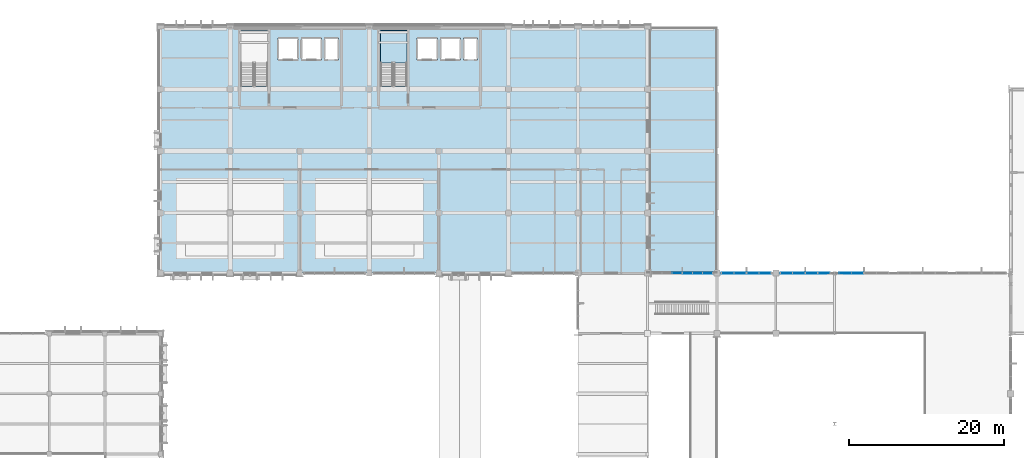
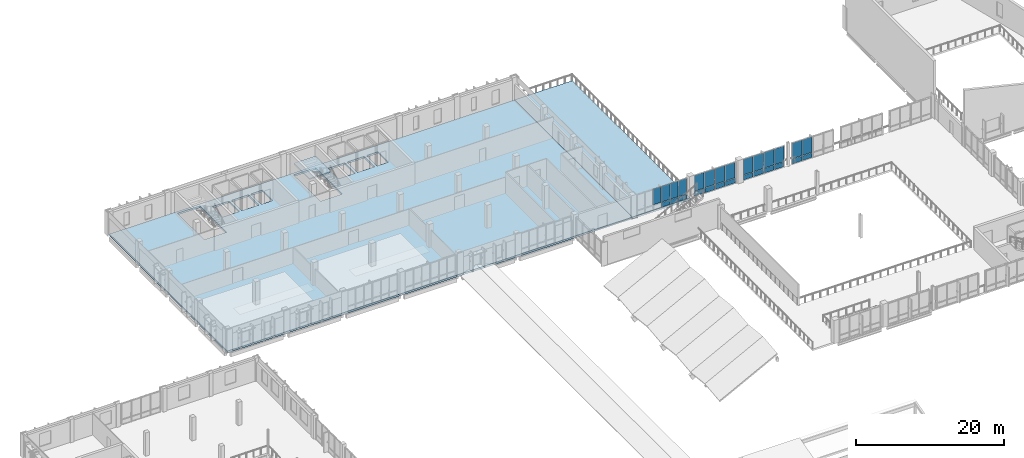
# One storey, part 32 of 64: 27 plates, 3 slabs, 8 elements without a shape of their own.
"""IFC4 building model written with IfcOpenShell, lengths in metres."""

from ifc_helpers import new_model, si_unit, direction, frame, origin, origin_2d, place, context, subcontext, project, spatial, polyline, rectangle, outline, extrude, material, layer, layer_set, type_object, element, aggregate, save


model = new_model("IFC4")

# Units and contexts
model_context = context("Model", 3, precision=1e-05, world=origin(), true_north=direction((0.0, 1.0)))
body_context = subcontext(model_context, "Body", "Model", "MODEL_VIEW")
ifc_project = project(units=[si_unit("LENGTHUNIT", "METRE"), si_unit("AREAUNIT", "SQUARE_METRE"), si_unit("VOLUMEUNIT", "CUBIC_METRE"), si_unit("PLANEANGLEUNIT", "RADIAN"), si_unit("MASSUNIT", "GRAM", prefix="KILO")], contexts=[model_context])

# Site, building, storey
site_placement = place(None, origin())
site = spatial("IfcSite", under=ifc_project, at=site_placement, CompositionType="ELEMENT")
building_placement = place(site_placement, origin())
building = spatial("IfcBuilding", under=site, at=building_placement, Name="Vervanel Yard Central Library", CompositionType="ELEMENT")
storey_placement = place(building_placement, frame((0.0, 0.0, 8.93994140625)))
storey = spatial("IfcBuildingStorey", under=building, at=storey_placement, Name="L02", CompositionType="ELEMENT", Elevation=8.93994140625)

# Stair, slab
ifc_material_1 = material(Name="Concrete C40/50", Category="concrete")
stair_type = type_object("IfcStairType", Name="Protected Core Dog-Leg Stair ST-02", PredefinedType="HALF_TURN_STAIR", material=ifc_material_1)
stair_placement = place(storey_placement, origin())
stair = element("IfcStair", 1, at=stair_placement, inside=storey, type_object=stair_type, Name="L02 CORE-B Protected Exit Stair", PredefinedType="HALF_TURN_STAIR")
ifc_layer_1 = layer(ifc_material_1, 0.199951171875, Category="concrete")
ifc_layer_set_1 = layer_set([ifc_layer_1], Name="Concrete C40/50")
slab_type_1 = type_object("IfcSlabType", Name="Core Stair Concrete Landing Slab 200", PredefinedType="LANDING", material=ifc_layer_set_1)
slab_1_placement = place(storey_placement, frame((0.0, 0.0, 1.719970703125)))
slab_1 = element("IfcSlab", 2, at=slab_1_placement, type_object=slab_type_1, Name="ST-02 landing 1", PredefinedType="LANDING", context=body_context, shape_type="SweptSolid", body=[
    extrude(outline(polyline([(67.85009765625, 109.39990234375), (67.85009765625, 113.60009765625), (64.449951171875, 113.60009765625), (64.449951171875, 109.39990234375), (67.85009765625, 109.39990234375)])), origin(), (0.0, 0.0, 1.0), 0.2001953125),
])
aggregate(stair, [slab_1])

# Slab
ifc_layer_2 = layer(ifc_material_1, 0.340087890625, Category="concrete")
ifc_layer_set_2 = layer_set([ifc_layer_2], Name="Concrete C40/50")
slab_type_2 = type_object("IfcSlabType", Name="Planted Roof Garden Terrace Slab 340", PredefinedType="FLOOR", material=ifc_layer_set_2)
slab_2_placement = place(storey_placement, frame((0.0, 0.0, -0.33984375)))
element("IfcSlab", 3, at=slab_2_placement, inside=storey, type_object=slab_type_2, Name="L02 Switchyard Overlook Roof Garden Terrace", PredefinedType="FLOOR", context=body_context, shape_type="SweptSolid", body=[
    extrude(outline(polyline([(99.0, 82.199951171875), (108.0, 82.199951171875), (108.0, 114.0), (99.0, 114.0), (99.0, 82.199951171875)])), origin(), (0.0, 0.0, 1.0), 0.33984375),
])

# Curtain wall, plate
ifc_material_2 = material(Name="Thermally broken anodized aluminium 6063-T6", Category="aluminium")
curtain_wall_type = type_object("IfcCurtainWallType", Name="Reading Hall Full-Height Curtain Wall", PredefinedType="NOTDEFINED", material=ifc_material_2)
curtain_wall_1_placement = place(storey_placement, origin())
curtain_wall_1 = element("IfcCurtainWall", 4, at=curtain_wall_1_placement, inside=storey, type_object=curtain_wall_type, Name="L02 Reading Hall Full-Height Curtain Wall CWR-L02-096", PredefinedType="NOTDEFINED")
ifc_material_3 = material(Name="Double low-E laminated solar-control glass", Category="glass")
ifc_layer_3 = layer(ifc_material_3, 0.0380859375, Category="glass")
ifc_layer_set_3 = layer_set([ifc_layer_3], Name="Double low-E laminated solar-control glass")
plate_type_1 = type_object("IfcPlateType", Name="Reading Hall Acoustic Vision Panel 38", PredefinedType="CURTAIN_PANEL", material=ifc_layer_set_3)
plate_1_placement = place(storey_placement, frame((102.820068359375, 82.199951171875, 0.88525390625), z_axis=(0.0, 0.0, 1.0), x_axis=(1.0, 0.0, 0.0)))
plate_1 = element("IfcPlate", 5, at=plate_1_placement, type_object=plate_type_1, Name="CWR-L02-096 Panel B3-2", PredefinedType="CURTAIN_PANEL", context=body_context, shape_type="SweptSolid", body=[
    extrude(rectangle(XDim=1.219970703125, YDim=0.0380859375, at=origin_2d()), origin(), (0.0, 0.0, 1.0), 2.554931640625),
])
aggregate(curtain_wall_1, [plate_1])

# Curtain wall, plates
curtain_wall_2_placement = place(storey_placement, origin())
curtain_wall_2 = element("IfcCurtainWall", 6, at=curtain_wall_2_placement, inside=storey, type_object=curtain_wall_type, Name="L02 Reading Hall Full-Height Curtain Wall CWR-L02-097", PredefinedType="NOTDEFINED")
plate_2_placement = place(storey_placement, frame((104.179931640625, 82.199951171875, 0.88525390625), z_axis=(0.0, 0.0, 1.0), x_axis=(1.0, 0.0, 0.0)))
plate_2 = element("IfcPlate", 7, at=plate_2_placement, type_object=plate_type_1, Name="CWR-L02-097 Panel B1-2", PredefinedType="CURTAIN_PANEL", context=body_context, shape_type="SweptSolid", body=[
    extrude(rectangle(XDim=1.219970703125, YDim=0.0380859375, at=origin_2d()), origin(), (0.0, 0.0, 1.0), 2.554931640625),
])
plate_3_placement = place(storey_placement, frame((105.469970703125, 82.199951171875, 0.88525390625), z_axis=(0.0, 0.0, 1.0), x_axis=(1.0, 0.0, 0.0)))
plate_3 = element("IfcPlate", 8, at=plate_3_placement, type_object=plate_type_1, Name="CWR-L02-097 Panel B2-2", PredefinedType="CURTAIN_PANEL", context=body_context, shape_type="SweptSolid", body=[
    extrude(rectangle(XDim=1.219970703125, YDim=0.0380859375, at=origin_2d()), origin(), (0.0, 0.0, 1.0), 2.554931640625),
])
plate_4_placement = place(storey_placement, frame((106.760009765625, 82.199951171875, 0.88525390625), z_axis=(0.0, 0.0, 1.0), x_axis=(1.0, 0.0, 0.0)))
plate_4 = element("IfcPlate", 9, at=plate_4_placement, type_object=plate_type_1, Name="CWR-L02-097 Panel B3-2", PredefinedType="CURTAIN_PANEL", context=body_context, shape_type="SweptSolid", body=[
    extrude(rectangle(XDim=1.219970703125, YDim=0.0380859375, at=origin_2d()), origin(), (0.0, 0.0, 1.0), 2.554931640625),
])

curtain_wall_3_placement = place(storey_placement, origin())
curtain_wall_3 = element("IfcCurtainWall", 10, at=curtain_wall_3_placement, inside=storey, type_object=curtain_wall_type, Name="L02 Reading Hall Full-Height Curtain Wall CWR-L02-098", PredefinedType="NOTDEFINED")
plate_5_placement = place(storey_placement, frame((109.387451171875, 82.199951171875, 0.88525390625), z_axis=(0.0, 0.0, 1.0), x_axis=(1.0, 0.0, 0.0)))
plate_5 = element("IfcPlate", 11, at=plate_5_placement, type_object=plate_type_1, Name="CWR-L02-098 Panel B1-2", PredefinedType="CURTAIN_PANEL", context=body_context, shape_type="SweptSolid", body=[
    extrude(rectangle(XDim=1.514892578125, YDim=0.0380859375, at=origin_2d()), origin(), (0.0, 0.0, 1.0), 2.554931640625),
])
plate_6_placement = place(storey_placement, frame((110.972412109375, 82.199951171875, 0.88525390625), z_axis=(0.0, 0.0, 1.0), x_axis=(1.0, 0.0, 0.0)))
plate_6 = element("IfcPlate", 12, at=plate_6_placement, type_object=plate_type_1, Name="CWR-L02-098 Panel B2-2", PredefinedType="CURTAIN_PANEL", context=body_context, shape_type="SweptSolid", body=[
    extrude(rectangle(XDim=1.514892578125, YDim=0.0380859375, at=origin_2d()), origin(), (0.0, 0.0, 1.0), 2.554931640625),
])

curtain_wall_4_placement = place(storey_placement, origin())
curtain_wall_4 = element("IfcCurtainWall", 13, at=curtain_wall_4_placement, inside=storey, type_object=curtain_wall_type, Name="L02 Reading Hall Full-Height Curtain Wall CWR-L02-099", PredefinedType="NOTDEFINED")
plate_7_placement = place(storey_placement, frame((112.62744140625, 82.199951171875, 0.88525390625), z_axis=(0.0, 0.0, 1.0), x_axis=(1.0, 0.0, 0.0)))
plate_7 = element("IfcPlate", 14, at=plate_7_placement, type_object=plate_type_1, Name="CWR-L02-099 Panel B1-2", PredefinedType="CURTAIN_PANEL", context=body_context, shape_type="SweptSolid", body=[
    extrude(rectangle(XDim=1.514892578125, YDim=0.0380859375, at=origin_2d()), origin(), (0.0, 0.0, 1.0), 2.554931640625),
])
plate_8_placement = place(storey_placement, frame((114.21240234375, 82.199951171875, 0.88525390625), z_axis=(0.0, 0.0, 1.0), x_axis=(1.0, 0.0, 0.0)))
plate_8 = element("IfcPlate", 15, at=plate_8_placement, type_object=plate_type_1, Name="CWR-L02-099 Panel B2-2", PredefinedType="CURTAIN_PANEL", context=body_context, shape_type="SweptSolid", body=[
    extrude(rectangle(XDim=1.514892578125, YDim=0.0380859375, at=origin_2d()), origin(), (0.0, 0.0, 1.0), 2.554931640625),
])

curtain_wall_5_placement = place(storey_placement, origin())
curtain_wall_5 = element("IfcCurtainWall", 16, at=curtain_wall_5_placement, inside=storey, type_object=curtain_wall_type, Name="L02 Reading Hall Full-Height Curtain Wall CWR-L02-100", PredefinedType="NOTDEFINED")
plate_9_placement = place(storey_placement, frame((116.987548828125, 82.199951171875, 0.88525390625), z_axis=(0.0, 0.0, 1.0), x_axis=(1.0, 0.0, 0.0)))
plate_9 = element("IfcPlate", 17, at=plate_9_placement, type_object=plate_type_1, Name="CWR-L02-100 Panel B1-2", PredefinedType="CURTAIN_PANEL", context=body_context, shape_type="SweptSolid", body=[
    extrude(rectangle(XDim=1.514892578125, YDim=0.0380859375, at=origin_2d()), origin(), (0.0, 0.0, 1.0), 2.554931640625),
])
plate_10_placement = place(storey_placement, frame((118.572509765625, 82.199951171875, 0.88525390625), z_axis=(0.0, 0.0, 1.0), x_axis=(1.0, 0.0, 0.0)))
plate_10 = element("IfcPlate", 18, at=plate_10_placement, type_object=plate_type_1, Name="CWR-L02-100 Panel B2-2", PredefinedType="CURTAIN_PANEL", context=body_context, shape_type="SweptSolid", body=[
    extrude(rectangle(XDim=1.514892578125, YDim=0.0380859375, at=origin_2d()), origin(), (0.0, 0.0, 1.0), 2.554931640625),
])

curtain_wall_6_placement = place(storey_placement, origin())
curtain_wall_6 = element("IfcCurtainWall", 19, at=curtain_wall_6_placement, inside=storey, type_object=curtain_wall_type, Name="L02 Reading Hall Full-Height Curtain Wall CWR-L02-101", PredefinedType="NOTDEFINED")
plate_11_placement = place(storey_placement, frame((120.2275390625, 82.199951171875, 0.88525390625), z_axis=(0.0, 0.0, 1.0), x_axis=(1.0, 0.0, 0.0)))
plate_11 = element("IfcPlate", 20, at=plate_11_placement, type_object=plate_type_1, Name="CWR-L02-101 Panel B1-2", PredefinedType="CURTAIN_PANEL", context=body_context, shape_type="SweptSolid", body=[
    extrude(rectangle(XDim=1.514892578125, YDim=0.0380859375, at=origin_2d()), origin(), (0.0, 0.0, 1.0), 2.554931640625),
])
plate_12_placement = place(storey_placement, frame((121.8125, 82.199951171875, 0.88525390625), z_axis=(0.0, 0.0, 1.0), x_axis=(1.0, 0.0, 0.0)))
plate_12 = element("IfcPlate", 21, at=plate_12_placement, type_object=plate_type_1, Name="CWR-L02-101 Panel B2-2", PredefinedType="CURTAIN_PANEL", context=body_context, shape_type="SweptSolid", body=[
    extrude(rectangle(XDim=1.514892578125, YDim=0.0380859375, at=origin_2d()), origin(), (0.0, 0.0, 1.0), 2.554931640625),
])

curtain_wall_7_placement = place(storey_placement, origin())
curtain_wall_7 = element("IfcCurtainWall", 22, at=curtain_wall_7_placement, inside=storey, type_object=curtain_wall_type, Name="L02 Reading Hall Full-Height Curtain Wall CWR-L02-102", PredefinedType="NOTDEFINED")
plate_13_placement = place(storey_placement, frame((124.58740234375, 82.199951171875, 0.88525390625), z_axis=(0.0, 0.0, 1.0), x_axis=(1.0, 0.0, 0.0)))
plate_13 = element("IfcPlate", 23, at=plate_13_placement, type_object=plate_type_1, Name="CWR-L02-102 Panel B1-2", PredefinedType="CURTAIN_PANEL", context=body_context, shape_type="SweptSolid", body=[
    extrude(rectangle(XDim=1.514892578125, YDim=0.0380859375, at=origin_2d()), origin(), (0.0, 0.0, 1.0), 2.554931640625),
])
plate_14_placement = place(storey_placement, frame((126.172607421875, 82.199951171875, 0.88525390625), z_axis=(0.0, 0.0, 1.0), x_axis=(1.0, 0.0, 0.0)))
plate_14 = element("IfcPlate", 24, at=plate_14_placement, type_object=plate_type_1, Name="CWR-L02-102 Panel B2-2", PredefinedType="CURTAIN_PANEL", context=body_context, shape_type="SweptSolid", body=[
    extrude(rectangle(XDim=1.514892578125, YDim=0.0380859375, at=origin_2d()), origin(), (0.0, 0.0, 1.0), 2.554931640625),
])

# Plate
ifc_material_4 = material(Name="Insulated bronze aluminium spandrel panel", Category="aluminium")
ifc_layer_4 = layer(ifc_material_4, 0.094970703125, Category="aluminium")
ifc_layer_set_4 = layer_set([ifc_layer_4], Name="Insulated bronze aluminium spandrel panel")
plate_type_2 = type_object("IfcPlateType", Name="Reading Hall Shadow-Box Spandrel 95", PredefinedType="CURTAIN_PANEL", material=ifc_layer_set_4)
plate_15_placement = place(storey_placement, frame((104.179931640625, 82.199951171875, 0.070068359375), z_axis=(0.0, 0.0, 1.0), x_axis=(1.0, 0.0, 0.0)))
plate_15 = element("IfcPlate", 25, at=plate_15_placement, type_object=plate_type_2, Name="CWR-L02-097 Panel B1-1", PredefinedType="CURTAIN_PANEL", context=body_context, shape_type="SweptSolid", body=[
    extrude(rectangle(XDim=1.219970703125, YDim=0.094970703125, at=origin_2d()), origin(), (0.0, 0.0, 1.0), 0.7451171875),
])

plate_16_placement = place(storey_placement, frame((105.469970703125, 82.199951171875, 0.070068359375), z_axis=(0.0, 0.0, 1.0), x_axis=(1.0, 0.0, 0.0)))
plate_16 = element("IfcPlate", 26, at=plate_16_placement, type_object=plate_type_2, Name="CWR-L02-097 Panel B2-1", PredefinedType="CURTAIN_PANEL", context=body_context, shape_type="SweptSolid", body=[
    extrude(rectangle(XDim=1.219970703125, YDim=0.094970703125, at=origin_2d()), origin(), (0.0, 0.0, 1.0), 0.7451171875),
])

plate_17_placement = place(storey_placement, frame((106.760009765625, 82.199951171875, 0.070068359375), z_axis=(0.0, 0.0, 1.0), x_axis=(1.0, 0.0, 0.0)))
plate_17 = element("IfcPlate", 27, at=plate_17_placement, type_object=plate_type_2, Name="CWR-L02-097 Panel B3-1", PredefinedType="CURTAIN_PANEL", context=body_context, shape_type="SweptSolid", body=[
    extrude(rectangle(XDim=1.219970703125, YDim=0.094970703125, at=origin_2d()), origin(), (0.0, 0.0, 1.0), 0.7451171875),
])

aggregate(curtain_wall_2, [plate_15, plate_2, plate_16, plate_3, plate_17, plate_4])

plate_18_placement = place(storey_placement, frame((109.387451171875, 82.199951171875, 0.070068359375), z_axis=(0.0, 0.0, 1.0), x_axis=(1.0, 0.0, 0.0)))
plate_18 = element("IfcPlate", 28, at=plate_18_placement, type_object=plate_type_2, Name="CWR-L02-098 Panel B1-1", PredefinedType="CURTAIN_PANEL", context=body_context, shape_type="SweptSolid", body=[
    extrude(rectangle(XDim=1.514892578125, YDim=0.094970703125, at=origin_2d()), origin(), (0.0, 0.0, 1.0), 0.7451171875),
])

plate_19_placement = place(storey_placement, frame((110.972412109375, 82.199951171875, 0.070068359375), z_axis=(0.0, 0.0, 1.0), x_axis=(1.0, 0.0, 0.0)))
plate_19 = element("IfcPlate", 29, at=plate_19_placement, type_object=plate_type_2, Name="CWR-L02-098 Panel B2-1", PredefinedType="CURTAIN_PANEL", context=body_context, shape_type="SweptSolid", body=[
    extrude(rectangle(XDim=1.514892578125, YDim=0.094970703125, at=origin_2d()), origin(), (0.0, 0.0, 1.0), 0.7451171875),
])

aggregate(curtain_wall_3, [plate_18, plate_5, plate_19, plate_6])

plate_20_placement = place(storey_placement, frame((112.62744140625, 82.199951171875, 0.070068359375), z_axis=(0.0, 0.0, 1.0), x_axis=(1.0, 0.0, 0.0)))
plate_20 = element("IfcPlate", 30, at=plate_20_placement, type_object=plate_type_2, Name="CWR-L02-099 Panel B1-1", PredefinedType="CURTAIN_PANEL", context=body_context, shape_type="SweptSolid", body=[
    extrude(rectangle(XDim=1.514892578125, YDim=0.094970703125, at=origin_2d()), origin(), (0.0, 0.0, 1.0), 0.7451171875),
])

plate_21_placement = place(storey_placement, frame((114.21240234375, 82.199951171875, 0.070068359375), z_axis=(0.0, 0.0, 1.0), x_axis=(1.0, 0.0, 0.0)))
plate_21 = element("IfcPlate", 31, at=plate_21_placement, type_object=plate_type_2, Name="CWR-L02-099 Panel B2-1", PredefinedType="CURTAIN_PANEL", context=body_context, shape_type="SweptSolid", body=[
    extrude(rectangle(XDim=1.514892578125, YDim=0.094970703125, at=origin_2d()), origin(), (0.0, 0.0, 1.0), 0.7451171875),
])

aggregate(curtain_wall_4, [plate_20, plate_7, plate_21, plate_8])

plate_22_placement = place(storey_placement, frame((116.987548828125, 82.199951171875, 0.070068359375), z_axis=(0.0, 0.0, 1.0), x_axis=(1.0, 0.0, 0.0)))
plate_22 = element("IfcPlate", 32, at=plate_22_placement, type_object=plate_type_2, Name="CWR-L02-100 Panel B1-1", PredefinedType="CURTAIN_PANEL", context=body_context, shape_type="SweptSolid", body=[
    extrude(rectangle(XDim=1.514892578125, YDim=0.094970703125, at=origin_2d()), origin(), (0.0, 0.0, 1.0), 0.7451171875),
])

plate_23_placement = place(storey_placement, frame((118.572509765625, 82.199951171875, 0.070068359375), z_axis=(0.0, 0.0, 1.0), x_axis=(1.0, 0.0, 0.0)))
plate_23 = element("IfcPlate", 33, at=plate_23_placement, type_object=plate_type_2, Name="CWR-L02-100 Panel B2-1", PredefinedType="CURTAIN_PANEL", context=body_context, shape_type="SweptSolid", body=[
    extrude(rectangle(XDim=1.514892578125, YDim=0.094970703125, at=origin_2d()), origin(), (0.0, 0.0, 1.0), 0.7451171875),
])

aggregate(curtain_wall_5, [plate_22, plate_9, plate_23, plate_10])

plate_24_placement = place(storey_placement, frame((120.2275390625, 82.199951171875, 0.070068359375), z_axis=(0.0, 0.0, 1.0), x_axis=(1.0, 0.0, 0.0)))
plate_24 = element("IfcPlate", 34, at=plate_24_placement, type_object=plate_type_2, Name="CWR-L02-101 Panel B1-1", PredefinedType="CURTAIN_PANEL", context=body_context, shape_type="SweptSolid", body=[
    extrude(rectangle(XDim=1.514892578125, YDim=0.094970703125, at=origin_2d()), origin(), (0.0, 0.0, 1.0), 0.7451171875),
])

plate_25_placement = place(storey_placement, frame((121.8125, 82.199951171875, 0.070068359375), z_axis=(0.0, 0.0, 1.0), x_axis=(1.0, 0.0, 0.0)))
plate_25 = element("IfcPlate", 35, at=plate_25_placement, type_object=plate_type_2, Name="CWR-L02-101 Panel B2-1", PredefinedType="CURTAIN_PANEL", context=body_context, shape_type="SweptSolid", body=[
    extrude(rectangle(XDim=1.514892578125, YDim=0.094970703125, at=origin_2d()), origin(), (0.0, 0.0, 1.0), 0.7451171875),
])

aggregate(curtain_wall_6, [plate_24, plate_11, plate_25, plate_12])

plate_26_placement = place(storey_placement, frame((124.58740234375, 82.199951171875, 0.070068359375), z_axis=(0.0, 0.0, 1.0), x_axis=(1.0, 0.0, 0.0)))
plate_26 = element("IfcPlate", 36, at=plate_26_placement, type_object=plate_type_2, Name="CWR-L02-102 Panel B1-1", PredefinedType="CURTAIN_PANEL", context=body_context, shape_type="SweptSolid", body=[
    extrude(rectangle(XDim=1.514892578125, YDim=0.094970703125, at=origin_2d()), origin(), (0.0, 0.0, 1.0), 0.7451171875),
])

plate_27_placement = place(storey_placement, frame((126.172607421875, 82.199951171875, 0.070068359375), z_axis=(0.0, 0.0, 1.0), x_axis=(1.0, 0.0, 0.0)))
plate_27 = element("IfcPlate", 37, at=plate_27_placement, type_object=plate_type_2, Name="CWR-L02-102 Panel B2-1", PredefinedType="CURTAIN_PANEL", context=body_context, shape_type="SweptSolid", body=[
    extrude(rectangle(XDim=1.514892578125, YDim=0.094970703125, at=origin_2d()), origin(), (0.0, 0.0, 1.0), 0.7451171875),
])

aggregate(curtain_wall_7, [plate_26, plate_13, plate_27, plate_14])

# Slab
ifc_layer_5 = layer(ifc_material_1, 0.300048828125, Category="concrete")
ifc_layer_set_5 = layer_set([ifc_layer_5], Name="Concrete C40/50")
slab_type_3 = type_object("IfcSlabType", Name="Stack Structural Floor Slab 300", PredefinedType="FLOOR", material=ifc_layer_set_5)
slab_3_placement = place(storey_placement, frame((0.0, 0.0, -0.300048828125)))
element("IfcSlab", 38, at=slab_3_placement, inside=storey, type_object=slab_type_3, Name="L02 V1 Stack Structural Floor Slab 300", PredefinedType="FLOOR", context=body_context, shape_type="SweptSolid", body=[
    extrude(outline(polyline([(36.0, 82.199951171875), (99.0, 82.199951171875), (99.0, 114.0), (36.0, 114.0), (36.0, 82.199951171875)]), holes=[polyline([(46.389892578125, 106.43505859375), (49.85009765625, 106.43505859375), (49.85009765625, 113.60009765625), (46.389892578125, 113.60009765625), (46.389892578125, 106.43505859375)]), polyline([(51.199951171875, 109.800048828125), (53.800048828125, 109.800048828125), (53.800048828125, 112.60009765625), (51.199951171875, 112.60009765625), (51.199951171875, 109.800048828125)]), polyline([(54.199951171875, 109.800048828125), (56.800048828125, 109.800048828125), (56.800048828125, 112.60009765625), (54.199951171875, 112.60009765625), (54.199951171875, 109.800048828125)]), polyline([(57.199951171875, 109.800048828125), (59.0, 109.800048828125), (59.0, 112.60009765625), (57.199951171875, 112.60009765625), (57.199951171875, 109.800048828125)]), polyline([(64.449951171875, 106.43505859375), (67.85009765625, 106.43505859375), (67.85009765625, 113.60009765625), (64.449951171875, 113.60009765625), (64.449951171875, 106.43505859375)]), polyline([(69.199951171875, 109.800048828125), (71.800048828125, 109.800048828125), (71.800048828125, 112.60009765625), (69.199951171875, 112.60009765625), (69.199951171875, 109.800048828125)]), polyline([(72.199951171875, 109.800048828125), (74.800048828125, 109.800048828125), (74.800048828125, 112.60009765625), (72.199951171875, 112.60009765625), (72.199951171875, 109.800048828125)]), polyline([(75.199951171875, 109.800048828125), (77.0, 109.800048828125), (77.0, 112.60009765625), (75.199951171875, 112.60009765625), (75.199951171875, 109.800048828125)])]), origin(), (0.0, 0.0, 1.0), 0.300048828125),
])

save(model, "model.ifc")
